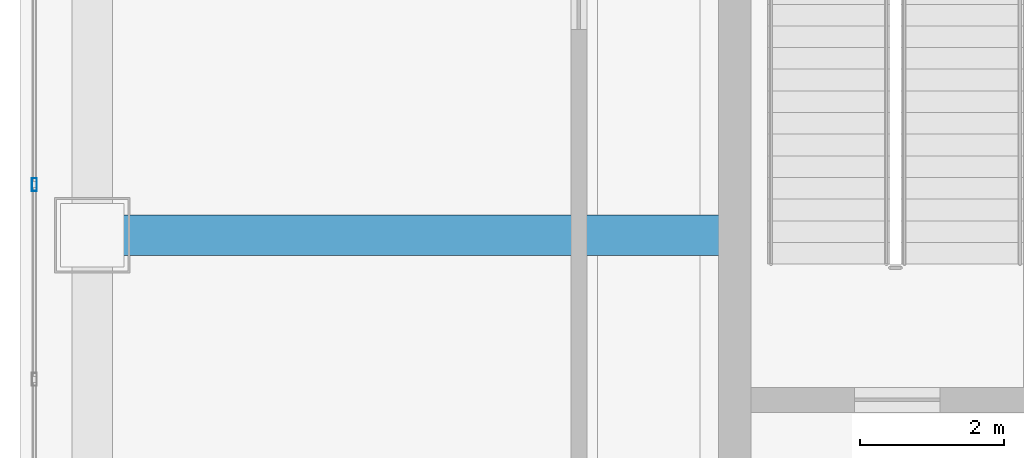
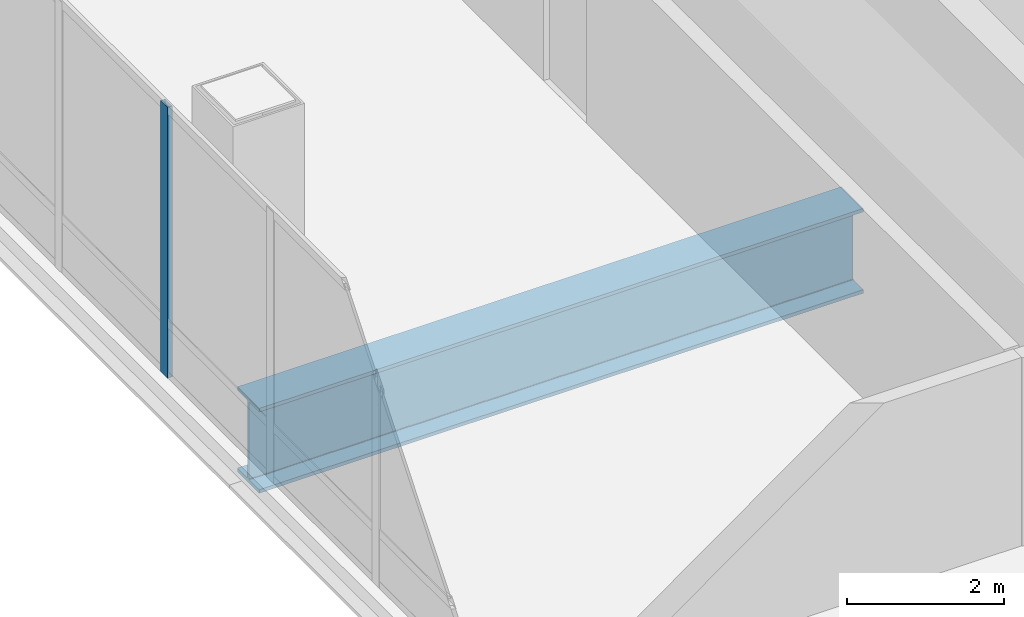
# One storey, part 5 of 33: 1 beam, 1 member, 1 element without a shape of its own.
"""IFC4 building model written with IfcOpenShell, lengths in metres."""

from ifc_helpers import new_model, si_unit, direction, frame, origin, origin_2d, place, context, subcontext, project, spatial, hollow_rectangle, i_section, extrude, material, material_profile, profile_set, type_object, element, aggregate, save


model = new_model("IFC4")

# Units and contexts
model_context = context("Model", 3, precision=1e-05, world=origin(), true_north=direction((0.0, 1.0)))
body_context = subcontext(model_context, "Body", "Model", "MODEL_VIEW")
ifc_project = project(units=[si_unit("LENGTHUNIT", "METRE"), si_unit("AREAUNIT", "SQUARE_METRE"), si_unit("VOLUMEUNIT", "CUBIC_METRE"), si_unit("PLANEANGLEUNIT", "RADIAN"), si_unit("MASSUNIT", "GRAM", prefix="KILO")], contexts=[model_context])

# Site, building, storey
site_placement = place(None, origin())
site = spatial("IfcSite", under=ifc_project, at=site_placement, CompositionType="ELEMENT")
building_placement = place(site_placement, origin())
building = spatial("IfcBuilding", under=site, at=building_placement, Name="Punatoya Terracotta Tower", CompositionType="ELEMENT")
storey_placement = place(building_placement, frame((0.0, 0.0, 348.300048828125)))
storey = spatial("IfcBuildingStorey", under=building, at=storey_placement, Name="L82", CompositionType="ELEMENT", Elevation=348.300048828125)

# Beam
ifc_material_1 = material(Name="Steel S460", Category="steel")
ifc_material_profile_1 = material_profile(ifc_material_1, i_section(OverallWidth=0.56005859375, OverallDepth=1.320068359375, WebThickness=0.035888671875, FlangeThickness=0.054931640625, FilletRadius=0.01806640625, at=origin_2d()))
ifc_profile_set_1 = profile_set([ifc_material_profile_1], Name="Steel S460")
beam_type = type_object("IfcBeamType", Name="BM-TG-BLK", PredefinedType="BEAM", material=ifc_profile_set_1)
beam_placement = place(storey_placement, frame((-19.10009765625, -3.39990234375, -0.880126953125), z_axis=(1.0, 0.0, 0.0), x_axis=(0.0, 1.0, 0.0)))
element("IfcBeam", 1, at=beam_placement, inside=storey, type_object=beam_type, Name="BM-L82-PR-WD", PredefinedType="BEAM", context=body_context, shape_type="SweptSolid", body=[
    extrude(i_section(OverallWidth=0.56005859375, OverallDepth=1.320068359375, WebThickness=0.035888671875, FlangeThickness=0.054931640625, FilletRadius=0.01806640625, at=origin_2d()), origin(), (0.0, 0.0, 1.0), 8.900146484375),
])

# Curtain wall, member
ifc_material_2 = material(Name="Aluminium 6063-T6 + Double Low-E Glass", Category="aluminium")
curtain_wall_type = type_object("IfcCurtainWallType", Name="CW-CRN", PredefinedType="NOTDEFINED", material=ifc_material_2)
curtain_wall_placement = place(storey_placement, origin())
curtain_wall = element("IfcCurtainWall", 2, at=curtain_wall_placement, inside=storey, type_object=curtain_wall_type, Name="L82 Curtain Wall CW-L82-W13-1", PredefinedType="NOTDEFINED")
ifc_material_3 = material(Name="Aluminium 6063-T6", Category="aluminium")
ifc_material_profile_2 = material_profile(ifc_material_3, hollow_rectangle(XDim=0.070068359375, YDim=0.179931640625, WallThickness=0.00390625, at=origin_2d()))
ifc_profile_set_2 = profile_set([ifc_material_profile_2], Name="Aluminium 6063-T6")
member_type = type_object("IfcMemberType", Name="CW-MUL-M3", PredefinedType="MULLION", material=ifc_profile_set_2)
member_placement = place(storey_placement, frame((-19.89990234375, -2.69775390625, 0.0), z_axis=(0.0, 0.0, 1.0), x_axis=(1.0, 0.0, 0.0)))
member = element("IfcMember", 3, at=member_placement, type_object=member_type, Name="CW-L82-W13-1 Mullion 07", PredefinedType="MULLION", context=body_context, shape_type="SweptSolid", body=[
    extrude(hollow_rectangle(XDim=0.070068359375, YDim=0.179931640625, WallThickness=0.00390625, at=origin_2d()), origin(), (0.0, 0.0, 1.0), 4.219970703125),
])
aggregate(curtain_wall, [member])

save(model, "model.ifc")
